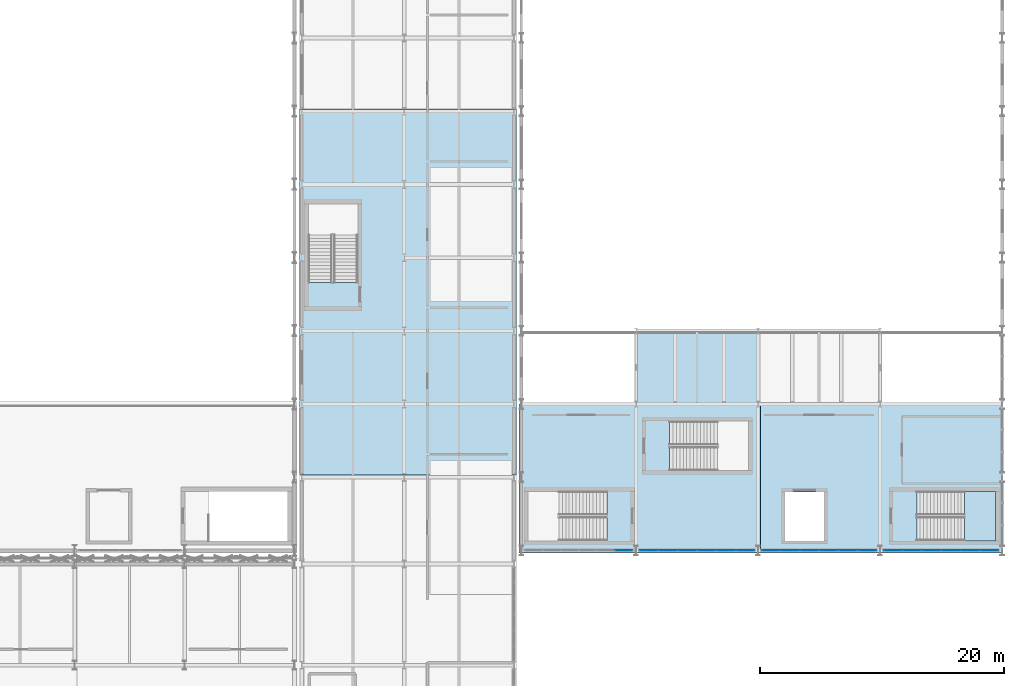
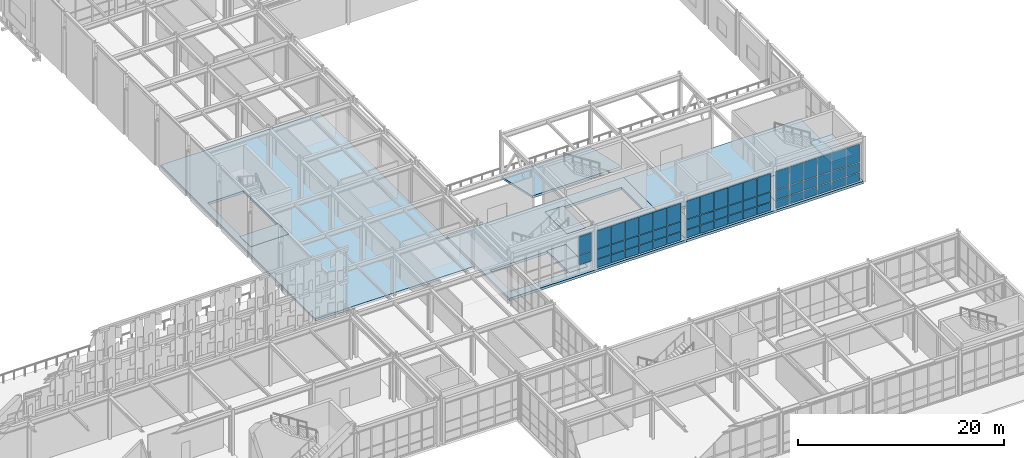
# One storey, part 146 of 210: 56 plates, 9 slabs, 5 elements without a shape of their own.
"""IFC4 building model written with IfcOpenShell, lengths in metres."""

from ifc_helpers import new_model, si_unit, direction, frame, origin, origin_2d, place, context, subcontext, project, spatial, polyline, rectangle, outline, extrude, material, layer, layer_set, type_object, element, aggregate, save


model = new_model("IFC4")

# Units and contexts
model_context = context("Model", 3, precision=1e-05, world=origin(), true_north=direction((0.0, 1.0)))
body_context = subcontext(model_context, "Body", "Model", "MODEL_VIEW")
ifc_project = project(units=[si_unit("LENGTHUNIT", "METRE"), si_unit("AREAUNIT", "SQUARE_METRE"), si_unit("VOLUMEUNIT", "CUBIC_METRE"), si_unit("PLANEANGLEUNIT", "RADIAN"), si_unit("MASSUNIT", "GRAM", prefix="KILO")], contexts=[model_context])

# Site, building, storey
site_placement = place(None, origin())
site = spatial("IfcSite", under=ifc_project, at=site_placement, CompositionType="ELEMENT")
building_placement = place(site_placement, origin())
building = spatial("IfcBuilding", under=site, at=building_placement, Name="Kaldris Quays Convention Centre", CompositionType="ELEMENT")
storey_placement = place(building_placement, frame((0.0, 0.0, 6.0)))
storey = spatial("IfcBuildingStorey", under=building, at=storey_placement, Name="L01", CompositionType="ELEMENT", Elevation=6.0)

# Curtain wall, plates
ifc_material_1 = material(Name="Anodized aluminium AW-6060 and triple glazing", Category="aluminium")
curtain_wall_type = type_object("IfcCurtainWallType", Name="UNITISED CURTAIN WALL CW01", PredefinedType="NOTDEFINED", material=ifc_material_1)
curtain_wall_1_placement = place(storey_placement, origin())
curtain_wall_1 = element("IfcCurtainWall", 1, at=curtain_wall_1_placement, inside=storey, type_object=curtain_wall_type, Name="L01 Unitised Curtain Wall CW01 25", PredefinedType="NOTDEFINED")
ifc_material_2 = material(Name="Triple low-E insulated glazing", Category="glass")
plate_type_1 = type_object("IfcPlateType", Name="CURTAIN GLAZING PANEL CWP1", PredefinedType="CURTAIN_PANEL", material=ifc_material_2)
plate_1_placement = place(storey_placement, frame((195.056640625, 56.0, 0.06005859375), z_axis=(0.0, 0.0, 1.0), x_axis=(1.0, 0.0, 0.0)))
plate_1 = element("IfcPlate", 2, at=plate_1_placement, type_object=plate_type_1, Name="CW01 panel 1.1", PredefinedType="CURTAIN_PANEL", context=body_context, shape_type="SweptSolid", body=[
    extrude(rectangle(XDim=1.493408203125, YDim=0.029052734375, at=origin_2d()), origin(), (0.0, 0.0, 1.0), 0.9599609375),
])
plate_2_placement = place(storey_placement, frame((195.056640625, 56.0, 1.080078125), z_axis=(0.0, 0.0, 1.0), x_axis=(1.0, 0.0, 0.0)))
plate_2 = element("IfcPlate", 3, at=plate_2_placement, type_object=plate_type_1, Name="CW01 panel 1.2", PredefinedType="CURTAIN_PANEL", context=body_context, shape_type="SweptSolid", body=[
    extrude(rectangle(XDim=1.493408203125, YDim=0.029052734375, at=origin_2d()), origin(), (0.0, 0.0, 1.0), 1.12890625),
])
plate_3_placement = place(storey_placement, frame((195.056640625, 56.0, 2.26904296875), z_axis=(0.0, 0.0, 1.0), x_axis=(1.0, 0.0, 0.0)))
plate_3 = element("IfcPlate", 4, at=plate_3_placement, type_object=plate_type_1, Name="CW01 panel 1.3", PredefinedType="CURTAIN_PANEL", context=body_context, shape_type="SweptSolid", body=[
    extrude(rectangle(XDim=1.493408203125, YDim=0.029052734375, at=origin_2d()), origin(), (0.0, 0.0, 1.0), 2.14892578125),
])
plate_4_placement = place(storey_placement, frame((196.625, 56.0, 0.06005859375), z_axis=(0.0, 0.0, 1.0), x_axis=(1.0, 0.0, 0.0)))
plate_4 = element("IfcPlate", 5, at=plate_4_placement, type_object=plate_type_1, Name="CW01 panel 2.1", PredefinedType="CURTAIN_PANEL", context=body_context, shape_type="SweptSolid", body=[
    extrude(rectangle(XDim=1.5234375, YDim=0.029052734375, at=origin_2d()), origin(), (0.0, 0.0, 1.0), 0.9599609375),
])
plate_5_placement = place(storey_placement, frame((196.625, 56.0, 1.080078125), z_axis=(0.0, 0.0, 1.0), x_axis=(1.0, 0.0, 0.0)))
plate_5 = element("IfcPlate", 6, at=plate_5_placement, type_object=plate_type_1, Name="CW01 panel 2.2", PredefinedType="CURTAIN_PANEL", context=body_context, shape_type="SweptSolid", body=[
    extrude(rectangle(XDim=1.5234375, YDim=0.029052734375, at=origin_2d()), origin(), (0.0, 0.0, 1.0), 1.12890625),
])
plate_6_placement = place(storey_placement, frame((196.625, 56.0, 2.26904296875), z_axis=(0.0, 0.0, 1.0), x_axis=(1.0, 0.0, 0.0)))
plate_6 = element("IfcPlate", 7, at=plate_6_placement, type_object=plate_type_1, Name="CW01 panel 2.3", PredefinedType="CURTAIN_PANEL", context=body_context, shape_type="SweptSolid", body=[
    extrude(rectangle(XDim=1.5234375, YDim=0.029052734375, at=origin_2d()), origin(), (0.0, 0.0, 1.0), 2.14892578125),
])
plate_7_placement = place(storey_placement, frame((198.208251953125, 56.0, 0.06005859375), z_axis=(0.0, 0.0, 1.0), x_axis=(1.0, 0.0, 0.0)))
plate_7 = element("IfcPlate", 8, at=plate_7_placement, type_object=plate_type_1, Name="CW01 panel 3.1", PredefinedType="CURTAIN_PANEL", context=body_context, shape_type="SweptSolid", body=[
    extrude(rectangle(XDim=1.5234375, YDim=0.029052734375, at=origin_2d()), origin(), (0.0, 0.0, 1.0), 0.9599609375),
])
plate_8_placement = place(storey_placement, frame((198.208251953125, 56.0, 1.080078125), z_axis=(0.0, 0.0, 1.0), x_axis=(1.0, 0.0, 0.0)))
plate_8 = element("IfcPlate", 9, at=plate_8_placement, type_object=plate_type_1, Name="CW01 panel 3.2", PredefinedType="CURTAIN_PANEL", context=body_context, shape_type="SweptSolid", body=[
    extrude(rectangle(XDim=1.5234375, YDim=0.029052734375, at=origin_2d()), origin(), (0.0, 0.0, 1.0), 1.12890625),
])
plate_9_placement = place(storey_placement, frame((198.208251953125, 56.0, 2.26904296875), z_axis=(0.0, 0.0, 1.0), x_axis=(1.0, 0.0, 0.0)))
plate_9 = element("IfcPlate", 10, at=plate_9_placement, type_object=plate_type_1, Name="CW01 panel 3.3", PredefinedType="CURTAIN_PANEL", context=body_context, shape_type="SweptSolid", body=[
    extrude(rectangle(XDim=1.5234375, YDim=0.029052734375, at=origin_2d()), origin(), (0.0, 0.0, 1.0), 2.14892578125),
])
plate_10_placement = place(storey_placement, frame((199.791748046875, 56.0, 0.06005859375), z_axis=(0.0, 0.0, 1.0), x_axis=(1.0, 0.0, 0.0)))
plate_10 = element("IfcPlate", 11, at=plate_10_placement, type_object=plate_type_1, Name="CW01 panel 4.1", PredefinedType="CURTAIN_PANEL", context=body_context, shape_type="SweptSolid", body=[
    extrude(rectangle(XDim=1.5234375, YDim=0.029052734375, at=origin_2d()), origin(), (0.0, 0.0, 1.0), 0.9599609375),
])
plate_11_placement = place(storey_placement, frame((199.791748046875, 56.0, 1.080078125), z_axis=(0.0, 0.0, 1.0), x_axis=(1.0, 0.0, 0.0)))
plate_11 = element("IfcPlate", 12, at=plate_11_placement, type_object=plate_type_1, Name="CW01 panel 4.2", PredefinedType="CURTAIN_PANEL", context=body_context, shape_type="SweptSolid", body=[
    extrude(rectangle(XDim=1.5234375, YDim=0.029052734375, at=origin_2d()), origin(), (0.0, 0.0, 1.0), 1.12890625),
])
plate_12_placement = place(storey_placement, frame((199.791748046875, 56.0, 2.26904296875), z_axis=(0.0, 0.0, 1.0), x_axis=(1.0, 0.0, 0.0)))
plate_12 = element("IfcPlate", 13, at=plate_12_placement, type_object=plate_type_1, Name="CW01 panel 4.3", PredefinedType="CURTAIN_PANEL", context=body_context, shape_type="SweptSolid", body=[
    extrude(rectangle(XDim=1.5234375, YDim=0.029052734375, at=origin_2d()), origin(), (0.0, 0.0, 1.0), 2.14892578125),
])
plate_13_placement = place(storey_placement, frame((201.375, 56.0, 0.06005859375), z_axis=(0.0, 0.0, 1.0), x_axis=(1.0, 0.0, 0.0)))
plate_13 = element("IfcPlate", 14, at=plate_13_placement, type_object=plate_type_1, Name="CW01 panel 5.1", PredefinedType="CURTAIN_PANEL", context=body_context, shape_type="SweptSolid", body=[
    extrude(rectangle(XDim=1.5234375, YDim=0.029052734375, at=origin_2d()), origin(), (0.0, 0.0, 1.0), 0.9599609375),
])
plate_14_placement = place(storey_placement, frame((201.375, 56.0, 1.080078125), z_axis=(0.0, 0.0, 1.0), x_axis=(1.0, 0.0, 0.0)))
plate_14 = element("IfcPlate", 15, at=plate_14_placement, type_object=plate_type_1, Name="CW01 panel 5.2", PredefinedType="CURTAIN_PANEL", context=body_context, shape_type="SweptSolid", body=[
    extrude(rectangle(XDim=1.5234375, YDim=0.029052734375, at=origin_2d()), origin(), (0.0, 0.0, 1.0), 1.12890625),
])
plate_15_placement = place(storey_placement, frame((201.375, 56.0, 2.26904296875), z_axis=(0.0, 0.0, 1.0), x_axis=(1.0, 0.0, 0.0)))
plate_15 = element("IfcPlate", 16, at=plate_15_placement, type_object=plate_type_1, Name="CW01 panel 5.3", PredefinedType="CURTAIN_PANEL", context=body_context, shape_type="SweptSolid", body=[
    extrude(rectangle(XDim=1.5234375, YDim=0.029052734375, at=origin_2d()), origin(), (0.0, 0.0, 1.0), 2.14892578125),
])
plate_16_placement = place(storey_placement, frame((202.943359375, 56.0, 0.06005859375), z_axis=(0.0, 0.0, 1.0), x_axis=(1.0, 0.0, 0.0)))
plate_16 = element("IfcPlate", 17, at=plate_16_placement, type_object=plate_type_1, Name="CW01 panel 6.1", PredefinedType="CURTAIN_PANEL", context=body_context, shape_type="SweptSolid", body=[
    extrude(rectangle(XDim=1.493408203125, YDim=0.029052734375, at=origin_2d()), origin(), (0.0, 0.0, 1.0), 0.9599609375),
])
plate_17_placement = place(storey_placement, frame((202.943359375, 56.0, 1.080078125), z_axis=(0.0, 0.0, 1.0), x_axis=(1.0, 0.0, 0.0)))
plate_17 = element("IfcPlate", 18, at=plate_17_placement, type_object=plate_type_1, Name="CW01 panel 6.2", PredefinedType="CURTAIN_PANEL", context=body_context, shape_type="SweptSolid", body=[
    extrude(rectangle(XDim=1.493408203125, YDim=0.029052734375, at=origin_2d()), origin(), (0.0, 0.0, 1.0), 1.12890625),
])
plate_18_placement = place(storey_placement, frame((202.943359375, 56.0, 2.26904296875), z_axis=(0.0, 0.0, 1.0), x_axis=(1.0, 0.0, 0.0)))
plate_18 = element("IfcPlate", 19, at=plate_18_placement, type_object=plate_type_1, Name="CW01 panel 6.3", PredefinedType="CURTAIN_PANEL", context=body_context, shape_type="SweptSolid", body=[
    extrude(rectangle(XDim=1.493408203125, YDim=0.029052734375, at=origin_2d()), origin(), (0.0, 0.0, 1.0), 2.14892578125),
])
aggregate(curtain_wall_1, [plate_1, plate_2, plate_3, plate_4, plate_5, plate_6, plate_7, plate_8, plate_9, plate_10, plate_11, plate_12, plate_13, plate_14, plate_15, plate_16, plate_17, plate_18])

curtain_wall_2_placement = place(storey_placement, origin())
curtain_wall_2 = element("IfcCurtainWall", 20, at=curtain_wall_2_placement, inside=storey, type_object=curtain_wall_type, Name="L01 Unitised Curtain Wall CW01 22", PredefinedType="NOTDEFINED")
plate_type_2 = type_object("IfcPlateType", Name="CURTAIN GLAZING PANEL CWP6", PredefinedType="CURTAIN_PANEL", material=ifc_material_2)
plate_19_placement = place(storey_placement, frame((172.993408203125, 56.0, 1.080078125), z_axis=(0.0, 0.0, 1.0), x_axis=(1.0, 0.0, 0.0)))
plate_19 = element("IfcPlate", 21, at=plate_19_placement, type_object=plate_type_2, Name="CW01 panel 6.2", PredefinedType="CURTAIN_PANEL", context=body_context, shape_type="SweptSolid", body=[
    extrude(rectangle(XDim=1.393310546875, YDim=0.053955078125, at=origin_2d()), origin(), (0.0, 0.0, 1.0), 1.12890625),
])
plate_20_placement = place(storey_placement, frame((172.993408203125, 56.0, 2.26904296875), z_axis=(0.0, 0.0, 1.0), x_axis=(1.0, 0.0, 0.0)))
plate_20 = element("IfcPlate", 22, at=plate_20_placement, type_object=plate_type_2, Name="CW01 panel 6.3", PredefinedType="CURTAIN_PANEL", context=body_context, shape_type="SweptSolid", body=[
    extrude(rectangle(XDim=1.393310546875, YDim=0.053955078125, at=origin_2d()), origin(), (0.0, 0.0, 1.0), 2.14892578125),
])
aggregate(curtain_wall_2, [plate_19, plate_20])

curtain_wall_3_placement = place(storey_placement, origin())
curtain_wall_3 = element("IfcCurtainWall", 23, at=curtain_wall_3_placement, inside=storey, type_object=curtain_wall_type, Name="L01 Unitised Curtain Wall CW01 23", PredefinedType="NOTDEFINED")
plate_type_3 = type_object("IfcPlateType", Name="CURTAIN GLAZING PANEL CWP7", PredefinedType="CURTAIN_PANEL", material=ifc_material_2)
plate_21_placement = place(storey_placement, frame((175.056640625, 56.0, 0.06005859375), z_axis=(0.0, 0.0, 1.0), x_axis=(1.0, 0.0, 0.0)))
plate_21 = element("IfcPlate", 24, at=plate_21_placement, type_object=plate_type_3, Name="CW01 panel 1.1", PredefinedType="CURTAIN_PANEL", context=body_context, shape_type="SweptSolid", body=[
    extrude(rectangle(XDim=1.493408203125, YDim=0.05908203125, at=origin_2d()), origin(), (0.0, 0.0, 1.0), 0.9599609375),
])
plate_22_placement = place(storey_placement, frame((175.056640625, 56.0, 1.080078125), z_axis=(0.0, 0.0, 1.0), x_axis=(1.0, 0.0, 0.0)))
plate_22 = element("IfcPlate", 25, at=plate_22_placement, type_object=plate_type_3, Name="CW01 panel 1.2", PredefinedType="CURTAIN_PANEL", context=body_context, shape_type="SweptSolid", body=[
    extrude(rectangle(XDim=1.493408203125, YDim=0.05908203125, at=origin_2d()), origin(), (0.0, 0.0, 1.0), 1.12890625),
])
plate_23_placement = place(storey_placement, frame((175.056640625, 56.0, 2.26904296875), z_axis=(0.0, 0.0, 1.0), x_axis=(1.0, 0.0, 0.0)))
plate_23 = element("IfcPlate", 26, at=plate_23_placement, type_object=plate_type_3, Name="CW01 panel 1.3", PredefinedType="CURTAIN_PANEL", context=body_context, shape_type="SweptSolid", body=[
    extrude(rectangle(XDim=1.493408203125, YDim=0.05908203125, at=origin_2d()), origin(), (0.0, 0.0, 1.0), 2.14892578125),
])
plate_24_placement = place(storey_placement, frame((176.625, 56.0, 0.06005859375), z_axis=(0.0, 0.0, 1.0), x_axis=(1.0, 0.0, 0.0)))
plate_24 = element("IfcPlate", 27, at=plate_24_placement, type_object=plate_type_3, Name="CW01 panel 2.1", PredefinedType="CURTAIN_PANEL", context=body_context, shape_type="SweptSolid", body=[
    extrude(rectangle(XDim=1.5234375, YDim=0.05908203125, at=origin_2d()), origin(), (0.0, 0.0, 1.0), 0.9599609375),
])
plate_25_placement = place(storey_placement, frame((176.625, 56.0, 1.080078125), z_axis=(0.0, 0.0, 1.0), x_axis=(1.0, 0.0, 0.0)))
plate_25 = element("IfcPlate", 28, at=plate_25_placement, type_object=plate_type_3, Name="CW01 panel 2.2", PredefinedType="CURTAIN_PANEL", context=body_context, shape_type="SweptSolid", body=[
    extrude(rectangle(XDim=1.5234375, YDim=0.05908203125, at=origin_2d()), origin(), (0.0, 0.0, 1.0), 1.12890625),
])
plate_26_placement = place(storey_placement, frame((176.625, 56.0, 2.26904296875), z_axis=(0.0, 0.0, 1.0), x_axis=(1.0, 0.0, 0.0)))
plate_26 = element("IfcPlate", 29, at=plate_26_placement, type_object=plate_type_3, Name="CW01 panel 2.3", PredefinedType="CURTAIN_PANEL", context=body_context, shape_type="SweptSolid", body=[
    extrude(rectangle(XDim=1.5234375, YDim=0.05908203125, at=origin_2d()), origin(), (0.0, 0.0, 1.0), 2.14892578125),
])
plate_27_placement = place(storey_placement, frame((178.208251953125, 56.0, 0.06005859375), z_axis=(0.0, 0.0, 1.0), x_axis=(1.0, 0.0, 0.0)))
plate_27 = element("IfcPlate", 30, at=plate_27_placement, type_object=plate_type_3, Name="CW01 panel 3.1", PredefinedType="CURTAIN_PANEL", context=body_context, shape_type="SweptSolid", body=[
    extrude(rectangle(XDim=1.5234375, YDim=0.05908203125, at=origin_2d()), origin(), (0.0, 0.0, 1.0), 0.9599609375),
])
plate_28_placement = place(storey_placement, frame((178.208251953125, 56.0, 1.080078125), z_axis=(0.0, 0.0, 1.0), x_axis=(1.0, 0.0, 0.0)))
plate_28 = element("IfcPlate", 31, at=plate_28_placement, type_object=plate_type_3, Name="CW01 panel 3.2", PredefinedType="CURTAIN_PANEL", context=body_context, shape_type="SweptSolid", body=[
    extrude(rectangle(XDim=1.5234375, YDim=0.05908203125, at=origin_2d()), origin(), (0.0, 0.0, 1.0), 1.12890625),
])
plate_29_placement = place(storey_placement, frame((178.208251953125, 56.0, 2.26904296875), z_axis=(0.0, 0.0, 1.0), x_axis=(1.0, 0.0, 0.0)))
plate_29 = element("IfcPlate", 32, at=plate_29_placement, type_object=plate_type_3, Name="CW01 panel 3.3", PredefinedType="CURTAIN_PANEL", context=body_context, shape_type="SweptSolid", body=[
    extrude(rectangle(XDim=1.5234375, YDim=0.05908203125, at=origin_2d()), origin(), (0.0, 0.0, 1.0), 2.14892578125),
])
plate_30_placement = place(storey_placement, frame((179.791748046875, 56.0, 0.06005859375), z_axis=(0.0, 0.0, 1.0), x_axis=(1.0, 0.0, 0.0)))
plate_30 = element("IfcPlate", 33, at=plate_30_placement, type_object=plate_type_3, Name="CW01 panel 4.1", PredefinedType="CURTAIN_PANEL", context=body_context, shape_type="SweptSolid", body=[
    extrude(rectangle(XDim=1.5234375, YDim=0.05908203125, at=origin_2d()), origin(), (0.0, 0.0, 1.0), 0.9599609375),
])
plate_31_placement = place(storey_placement, frame((179.791748046875, 56.0, 1.080078125), z_axis=(0.0, 0.0, 1.0), x_axis=(1.0, 0.0, 0.0)))
plate_31 = element("IfcPlate", 34, at=plate_31_placement, type_object=plate_type_3, Name="CW01 panel 4.2", PredefinedType="CURTAIN_PANEL", context=body_context, shape_type="SweptSolid", body=[
    extrude(rectangle(XDim=1.5234375, YDim=0.05908203125, at=origin_2d()), origin(), (0.0, 0.0, 1.0), 1.12890625),
])
plate_32_placement = place(storey_placement, frame((179.791748046875, 56.0, 2.26904296875), z_axis=(0.0, 0.0, 1.0), x_axis=(1.0, 0.0, 0.0)))
plate_32 = element("IfcPlate", 35, at=plate_32_placement, type_object=plate_type_3, Name="CW01 panel 4.3", PredefinedType="CURTAIN_PANEL", context=body_context, shape_type="SweptSolid", body=[
    extrude(rectangle(XDim=1.5234375, YDim=0.05908203125, at=origin_2d()), origin(), (0.0, 0.0, 1.0), 2.14892578125),
])
plate_33_placement = place(storey_placement, frame((181.375, 56.0, 0.06005859375), z_axis=(0.0, 0.0, 1.0), x_axis=(1.0, 0.0, 0.0)))
plate_33 = element("IfcPlate", 36, at=plate_33_placement, type_object=plate_type_3, Name="CW01 panel 5.1", PredefinedType="CURTAIN_PANEL", context=body_context, shape_type="SweptSolid", body=[
    extrude(rectangle(XDim=1.5234375, YDim=0.05908203125, at=origin_2d()), origin(), (0.0, 0.0, 1.0), 0.9599609375),
])
plate_34_placement = place(storey_placement, frame((181.375, 56.0, 1.080078125), z_axis=(0.0, 0.0, 1.0), x_axis=(1.0, 0.0, 0.0)))
plate_34 = element("IfcPlate", 37, at=plate_34_placement, type_object=plate_type_3, Name="CW01 panel 5.2", PredefinedType="CURTAIN_PANEL", context=body_context, shape_type="SweptSolid", body=[
    extrude(rectangle(XDim=1.5234375, YDim=0.05908203125, at=origin_2d()), origin(), (0.0, 0.0, 1.0), 1.12890625),
])
plate_35_placement = place(storey_placement, frame((181.375, 56.0, 2.26904296875), z_axis=(0.0, 0.0, 1.0), x_axis=(1.0, 0.0, 0.0)))
plate_35 = element("IfcPlate", 38, at=plate_35_placement, type_object=plate_type_3, Name="CW01 panel 5.3", PredefinedType="CURTAIN_PANEL", context=body_context, shape_type="SweptSolid", body=[
    extrude(rectangle(XDim=1.5234375, YDim=0.05908203125, at=origin_2d()), origin(), (0.0, 0.0, 1.0), 2.14892578125),
])
plate_36_placement = place(storey_placement, frame((182.943359375, 56.0, 0.06005859375), z_axis=(0.0, 0.0, 1.0), x_axis=(1.0, 0.0, 0.0)))
plate_36 = element("IfcPlate", 39, at=plate_36_placement, type_object=plate_type_3, Name="CW01 panel 6.1", PredefinedType="CURTAIN_PANEL", context=body_context, shape_type="SweptSolid", body=[
    extrude(rectangle(XDim=1.493408203125, YDim=0.05908203125, at=origin_2d()), origin(), (0.0, 0.0, 1.0), 0.9599609375),
])
plate_37_placement = place(storey_placement, frame((182.943359375, 56.0, 1.080078125), z_axis=(0.0, 0.0, 1.0), x_axis=(1.0, 0.0, 0.0)))
plate_37 = element("IfcPlate", 40, at=plate_37_placement, type_object=plate_type_3, Name="CW01 panel 6.2", PredefinedType="CURTAIN_PANEL", context=body_context, shape_type="SweptSolid", body=[
    extrude(rectangle(XDim=1.493408203125, YDim=0.05908203125, at=origin_2d()), origin(), (0.0, 0.0, 1.0), 1.12890625),
])
plate_38_placement = place(storey_placement, frame((182.943359375, 56.0, 2.26904296875), z_axis=(0.0, 0.0, 1.0), x_axis=(1.0, 0.0, 0.0)))
plate_38 = element("IfcPlate", 41, at=plate_38_placement, type_object=plate_type_3, Name="CW01 panel 6.3", PredefinedType="CURTAIN_PANEL", context=body_context, shape_type="SweptSolid", body=[
    extrude(rectangle(XDim=1.493408203125, YDim=0.05908203125, at=origin_2d()), origin(), (0.0, 0.0, 1.0), 2.14892578125),
])
aggregate(curtain_wall_3, [plate_21, plate_22, plate_23, plate_24, plate_25, plate_26, plate_27, plate_28, plate_29, plate_30, plate_31, plate_32, plate_33, plate_34, plate_35, plate_36, plate_37, plate_38])

curtain_wall_4_placement = place(storey_placement, origin())
curtain_wall_4 = element("IfcCurtainWall", 42, at=curtain_wall_4_placement, inside=storey, type_object=curtain_wall_type, Name="L01 Unitised Curtain Wall CW01 24", PredefinedType="NOTDEFINED")
plate_type_4 = type_object("IfcPlateType", Name="CURTAIN GLAZING PANEL CWP8", PredefinedType="CURTAIN_PANEL", material=ifc_material_2)
plate_39_placement = place(storey_placement, frame((185.056640625, 56.0, 0.06005859375), z_axis=(0.0, 0.0, 1.0), x_axis=(1.0, 0.0, 0.0)))
plate_39 = element("IfcPlate", 43, at=plate_39_placement, type_object=plate_type_4, Name="CW01 panel 1.1", PredefinedType="CURTAIN_PANEL", context=body_context, shape_type="SweptSolid", body=[
    extrude(rectangle(XDim=1.493408203125, YDim=0.06396484375, at=origin_2d()), origin(), (0.0, 0.0, 1.0), 0.9599609375),
])
plate_40_placement = place(storey_placement, frame((185.056640625, 56.0, 1.080078125), z_axis=(0.0, 0.0, 1.0), x_axis=(1.0, 0.0, 0.0)))
plate_40 = element("IfcPlate", 44, at=plate_40_placement, type_object=plate_type_4, Name="CW01 panel 1.2", PredefinedType="CURTAIN_PANEL", context=body_context, shape_type="SweptSolid", body=[
    extrude(rectangle(XDim=1.493408203125, YDim=0.06396484375, at=origin_2d()), origin(), (0.0, 0.0, 1.0), 1.12890625),
])
plate_41_placement = place(storey_placement, frame((185.056640625, 56.0, 2.26904296875), z_axis=(0.0, 0.0, 1.0), x_axis=(1.0, 0.0, 0.0)))
plate_41 = element("IfcPlate", 45, at=plate_41_placement, type_object=plate_type_4, Name="CW01 panel 1.3", PredefinedType="CURTAIN_PANEL", context=body_context, shape_type="SweptSolid", body=[
    extrude(rectangle(XDim=1.493408203125, YDim=0.06396484375, at=origin_2d()), origin(), (0.0, 0.0, 1.0), 2.14892578125),
])
plate_42_placement = place(storey_placement, frame((186.625, 56.0, 0.06005859375), z_axis=(0.0, 0.0, 1.0), x_axis=(1.0, 0.0, 0.0)))
plate_42 = element("IfcPlate", 46, at=plate_42_placement, type_object=plate_type_4, Name="CW01 panel 2.1", PredefinedType="CURTAIN_PANEL", context=body_context, shape_type="SweptSolid", body=[
    extrude(rectangle(XDim=1.5234375, YDim=0.06396484375, at=origin_2d()), origin(), (0.0, 0.0, 1.0), 0.9599609375),
])
plate_43_placement = place(storey_placement, frame((186.625, 56.0, 1.080078125), z_axis=(0.0, 0.0, 1.0), x_axis=(1.0, 0.0, 0.0)))
plate_43 = element("IfcPlate", 47, at=plate_43_placement, type_object=plate_type_4, Name="CW01 panel 2.2", PredefinedType="CURTAIN_PANEL", context=body_context, shape_type="SweptSolid", body=[
    extrude(rectangle(XDim=1.5234375, YDim=0.06396484375, at=origin_2d()), origin(), (0.0, 0.0, 1.0), 1.12890625),
])
plate_44_placement = place(storey_placement, frame((186.625, 56.0, 2.26904296875), z_axis=(0.0, 0.0, 1.0), x_axis=(1.0, 0.0, 0.0)))
plate_44 = element("IfcPlate", 48, at=plate_44_placement, type_object=plate_type_4, Name="CW01 panel 2.3", PredefinedType="CURTAIN_PANEL", context=body_context, shape_type="SweptSolid", body=[
    extrude(rectangle(XDim=1.5234375, YDim=0.06396484375, at=origin_2d()), origin(), (0.0, 0.0, 1.0), 2.14892578125),
])
plate_45_placement = place(storey_placement, frame((188.208251953125, 56.0, 0.06005859375), z_axis=(0.0, 0.0, 1.0), x_axis=(1.0, 0.0, 0.0)))
plate_45 = element("IfcPlate", 49, at=plate_45_placement, type_object=plate_type_4, Name="CW01 panel 3.1", PredefinedType="CURTAIN_PANEL", context=body_context, shape_type="SweptSolid", body=[
    extrude(rectangle(XDim=1.5234375, YDim=0.06396484375, at=origin_2d()), origin(), (0.0, 0.0, 1.0), 0.9599609375),
])
plate_46_placement = place(storey_placement, frame((188.208251953125, 56.0, 1.080078125), z_axis=(0.0, 0.0, 1.0), x_axis=(1.0, 0.0, 0.0)))
plate_46 = element("IfcPlate", 50, at=plate_46_placement, type_object=plate_type_4, Name="CW01 panel 3.2", PredefinedType="CURTAIN_PANEL", context=body_context, shape_type="SweptSolid", body=[
    extrude(rectangle(XDim=1.5234375, YDim=0.06396484375, at=origin_2d()), origin(), (0.0, 0.0, 1.0), 1.12890625),
])
plate_47_placement = place(storey_placement, frame((188.208251953125, 56.0, 2.26904296875), z_axis=(0.0, 0.0, 1.0), x_axis=(1.0, 0.0, 0.0)))
plate_47 = element("IfcPlate", 51, at=plate_47_placement, type_object=plate_type_4, Name="CW01 panel 3.3", PredefinedType="CURTAIN_PANEL", context=body_context, shape_type="SweptSolid", body=[
    extrude(rectangle(XDim=1.5234375, YDim=0.06396484375, at=origin_2d()), origin(), (0.0, 0.0, 1.0), 2.14892578125),
])
plate_48_placement = place(storey_placement, frame((189.791748046875, 56.0, 0.06005859375), z_axis=(0.0, 0.0, 1.0), x_axis=(1.0, 0.0, 0.0)))
plate_48 = element("IfcPlate", 52, at=plate_48_placement, type_object=plate_type_4, Name="CW01 panel 4.1", PredefinedType="CURTAIN_PANEL", context=body_context, shape_type="SweptSolid", body=[
    extrude(rectangle(XDim=1.5234375, YDim=0.06396484375, at=origin_2d()), origin(), (0.0, 0.0, 1.0), 0.9599609375),
])
plate_49_placement = place(storey_placement, frame((189.791748046875, 56.0, 1.080078125), z_axis=(0.0, 0.0, 1.0), x_axis=(1.0, 0.0, 0.0)))
plate_49 = element("IfcPlate", 53, at=plate_49_placement, type_object=plate_type_4, Name="CW01 panel 4.2", PredefinedType="CURTAIN_PANEL", context=body_context, shape_type="SweptSolid", body=[
    extrude(rectangle(XDim=1.5234375, YDim=0.06396484375, at=origin_2d()), origin(), (0.0, 0.0, 1.0), 1.12890625),
])
plate_50_placement = place(storey_placement, frame((189.791748046875, 56.0, 2.26904296875), z_axis=(0.0, 0.0, 1.0), x_axis=(1.0, 0.0, 0.0)))
plate_50 = element("IfcPlate", 54, at=plate_50_placement, type_object=plate_type_4, Name="CW01 panel 4.3", PredefinedType="CURTAIN_PANEL", context=body_context, shape_type="SweptSolid", body=[
    extrude(rectangle(XDim=1.5234375, YDim=0.06396484375, at=origin_2d()), origin(), (0.0, 0.0, 1.0), 2.14892578125),
])
plate_51_placement = place(storey_placement, frame((191.375, 56.0, 0.06005859375), z_axis=(0.0, 0.0, 1.0), x_axis=(1.0, 0.0, 0.0)))
plate_51 = element("IfcPlate", 55, at=plate_51_placement, type_object=plate_type_4, Name="CW01 panel 5.1", PredefinedType="CURTAIN_PANEL", context=body_context, shape_type="SweptSolid", body=[
    extrude(rectangle(XDim=1.5234375, YDim=0.06396484375, at=origin_2d()), origin(), (0.0, 0.0, 1.0), 0.9599609375),
])
plate_52_placement = place(storey_placement, frame((191.375, 56.0, 1.080078125), z_axis=(0.0, 0.0, 1.0), x_axis=(1.0, 0.0, 0.0)))
plate_52 = element("IfcPlate", 56, at=plate_52_placement, type_object=plate_type_4, Name="CW01 panel 5.2", PredefinedType="CURTAIN_PANEL", context=body_context, shape_type="SweptSolid", body=[
    extrude(rectangle(XDim=1.5234375, YDim=0.06396484375, at=origin_2d()), origin(), (0.0, 0.0, 1.0), 1.12890625),
])
plate_53_placement = place(storey_placement, frame((191.375, 56.0, 2.26904296875), z_axis=(0.0, 0.0, 1.0), x_axis=(1.0, 0.0, 0.0)))
plate_53 = element("IfcPlate", 57, at=plate_53_placement, type_object=plate_type_4, Name="CW01 panel 5.3", PredefinedType="CURTAIN_PANEL", context=body_context, shape_type="SweptSolid", body=[
    extrude(rectangle(XDim=1.5234375, YDim=0.06396484375, at=origin_2d()), origin(), (0.0, 0.0, 1.0), 2.14892578125),
])
plate_54_placement = place(storey_placement, frame((192.943359375, 56.0, 0.06005859375), z_axis=(0.0, 0.0, 1.0), x_axis=(1.0, 0.0, 0.0)))
plate_54 = element("IfcPlate", 58, at=plate_54_placement, type_object=plate_type_4, Name="CW01 panel 6.1", PredefinedType="CURTAIN_PANEL", context=body_context, shape_type="SweptSolid", body=[
    extrude(rectangle(XDim=1.493408203125, YDim=0.06396484375, at=origin_2d()), origin(), (0.0, 0.0, 1.0), 0.9599609375),
])
plate_55_placement = place(storey_placement, frame((192.943359375, 56.0, 1.080078125), z_axis=(0.0, 0.0, 1.0), x_axis=(1.0, 0.0, 0.0)))
plate_55 = element("IfcPlate", 59, at=plate_55_placement, type_object=plate_type_4, Name="CW01 panel 6.2", PredefinedType="CURTAIN_PANEL", context=body_context, shape_type="SweptSolid", body=[
    extrude(rectangle(XDim=1.493408203125, YDim=0.06396484375, at=origin_2d()), origin(), (0.0, 0.0, 1.0), 1.12890625),
])
plate_56_placement = place(storey_placement, frame((192.943359375, 56.0, 2.26904296875), z_axis=(0.0, 0.0, 1.0), x_axis=(1.0, 0.0, 0.0)))
plate_56 = element("IfcPlate", 60, at=plate_56_placement, type_object=plate_type_4, Name="CW01 panel 6.3", PredefinedType="CURTAIN_PANEL", context=body_context, shape_type="SweptSolid", body=[
    extrude(rectangle(XDim=1.493408203125, YDim=0.06396484375, at=origin_2d()), origin(), (0.0, 0.0, 1.0), 2.14892578125),
])
aggregate(curtain_wall_4, [plate_39, plate_40, plate_41, plate_42, plate_43, plate_44, plate_45, plate_46, plate_47, plate_48, plate_49, plate_50, plate_51, plate_52, plate_53, plate_54, plate_55, plate_56])

# Stair, slab
ifc_material_3 = material(Name="Concrete C35/45", Category="concrete")
stair_type = type_object("IfcStairType", Name="DOGLEG ESCAPE STAIR STF1", PredefinedType="TWO_STRAIGHT_RUN_STAIR", material=ifc_material_3)
stair_placement = place(storey_placement, origin())
stair = element("IfcStair", 61, at=stair_placement, inside=storey, type_object=stair_type, Name="L01 Escape Stair ST09", PredefinedType="TWO_STRAIGHT_RUN_STAIR")
ifc_layer_1 = layer(ifc_material_3, 0.205078125)
ifc_layer_set_1 = layer_set([ifc_layer_1], Name="Concrete C35/45")
slab_type_1 = type_object("IfcSlabType", Name="STAIR LANDING SLAB LS01", PredefinedType="LANDING", material=ifc_layer_set_1)
slab_1_placement = place(storey_placement, frame((0.0, 0.0, 2.4951171875)))
slab_1 = element("IfcSlab", 62, at=slab_1_placement, type_object=slab_type_1, Name="STF1 landing 1", PredefinedType="LANDING", context=body_context, shape_type="SweptSolid", body=[
    extrude(outline(polyline([(200.919921875, 56.800048828125), (203.449951171875, 56.800048828125), (203.449951171875, 60.85009765625), (200.919921875, 60.85009765625), (200.919921875, 56.800048828125)])), origin(), (0.0, 0.0, 1.0), 0.204833984375),
])
aggregate(stair, [slab_1])

# Slabs
ifc_layer_2 = layer(ifc_material_3, 0.294921875)
ifc_layer_set_2 = layer_set([ifc_layer_2], Name="Concrete C35/45")
slab_type_2 = type_object("IfcSlabType", Name="STRUCTURAL SLAB FS04", PredefinedType="FLOOR", material=ifc_layer_set_2)
slab_2_placement = place(storey_placement, frame((0.0, 0.0, -0.294921875)))
element("IfcSlab", 63, at=slab_2_placement, inside=storey, type_object=slab_type_2, Name="L01 V2 Middle Concourse A SLAB-L01-V2A", PredefinedType="FLOOR", context=body_context, shape_type="SweptSolid", body=[
    extrude(outline(polyline([(164.39990234375, 55.800048828125), (164.39990234375, 68.0), (184.199951171875, 68.0), (184.199951171875, 55.800048828125), (164.39990234375, 55.800048828125)]), holes=[polyline([(171.59912109375, 56.67822265625), (173.671875, 56.67919921875), (173.671142578125, 60.9716796875), (171.599853515625, 60.971923828125), (171.597900390625, 60.85009765625), (165.14990234375, 60.85009765625), (165.14990234375, 56.800048828125), (171.597900390625, 56.800048828125), (171.59912109375, 56.67822265625)]), polyline([(174.67919921875, 62.42822265625), (176.750244140625, 62.427978515625), (176.751953125, 62.550048828125), (183.199951171875, 62.550048828125), (183.199951171875, 66.60009765625), (176.751953125, 66.60009765625), (176.750244140625, 66.721923828125), (174.67919921875, 66.7216796875), (174.67919921875, 62.42822265625)])]), origin(), (0.0, 0.0, 1.0), 0.294921875),
])
slab_3_placement = place(storey_placement, frame((0.0, 0.0, -0.294921875)))
element("IfcSlab", 64, at=slab_3_placement, inside=storey, type_object=slab_type_2, Name="L01 V2 Middle Concourse B SLAB-L01-V2B", PredefinedType="FLOOR", context=body_context, shape_type="SweptSolid", body=[
    extrude(outline(polyline([(204.0, 68.0), (204.0, 55.800048828125), (184.201904296875, 55.800048828125), (184.201904296875, 68.0), (204.0, 68.0)]), holes=[polyline([(186.199951171875, 56.800048828125), (189.39990234375, 56.800048828125), (189.39990234375, 60.800048828125), (186.199951171875, 60.800048828125), (186.199951171875, 56.800048828125)]), polyline([(197.001953125, 56.679931640625), (197.001953125, 56.800048828125), (203.449951171875, 56.800048828125), (203.449951171875, 60.85009765625), (197.001953125, 60.85009765625), (197.000244140625, 60.971923828125), (194.928955078125, 60.9716796875), (194.92822265625, 56.67919921875), (197.001953125, 56.679931640625)])]), origin(), (0.0, 0.0, 1.0), 0.294921875),
])
ifc_layer_3 = layer(ifc_material_3, 0.27490234375)
ifc_layer_set_3 = layer_set([ifc_layer_3], Name="Concrete C35/45")
slab_type_3 = type_object("IfcSlabType", Name="STRUCTURAL SLAB FS05", PredefinedType="FLOOR", material=ifc_layer_set_3)
slab_4_placement = place(storey_placement, frame((0.0, 0.0, -0.27490234375)))
element("IfcSlab", 65, at=slab_4_placement, inside=storey, type_object=slab_type_3, Name="L01 ST08 Core Floor Landing Slab", PredefinedType="FLOOR", context=body_context, shape_type="SweptSolid", body=[
    extrude(outline(polyline([(173.669921875, 60.969970703125), (171.60009765625, 60.969970703125), (171.60009765625, 56.679931640625), (173.669921875, 56.679931640625), (173.669921875, 60.969970703125)])), origin(), (0.0, 0.0, 1.0), 0.27490234375),
])
slab_5_placement = place(storey_placement, frame((0.0, 0.0, -0.27490234375)))
element("IfcSlab", 66, at=slab_5_placement, inside=storey, type_object=slab_type_3, Name="L01 ST09 Core Floor Landing Slab", PredefinedType="FLOOR", context=body_context, shape_type="SweptSolid", body=[
    extrude(outline(polyline([(194.929931640625, 56.679931640625), (197.0, 56.679931640625), (197.0, 60.969970703125), (194.929931640625, 60.969970703125), (194.929931640625, 56.679931640625)])), origin(), (0.0, 0.0, 1.0), 0.27490234375),
])
slab_6_placement = place(storey_placement, frame((0.0, 0.0, -0.27490234375)))
element("IfcSlab", 67, at=slab_6_placement, inside=storey, type_object=slab_type_3, Name="L01 ST10 Core Floor Landing Slab", PredefinedType="FLOOR", context=body_context, shape_type="SweptSolid", body=[
    extrude(outline(polyline([(174.679931640625, 62.429931640625), (176.75, 62.429931640625), (176.75, 66.719970703125), (174.679931640625, 66.719970703125), (174.679931640625, 62.429931640625)])), origin(), (0.0, 0.0, 1.0), 0.27490234375),
])
slab_7_placement = place(storey_placement, frame((0.0, 0.0, -0.27490234375)))
element("IfcSlab", 68, at=slab_7_placement, inside=storey, type_object=slab_type_3, Name="L01 ST14 Core Floor Landing Slab", PredefinedType="FLOOR", context=body_context, shape_type="SweptSolid", body=[
    extrude(outline(polyline([(151.320068359375, 75.8798828125), (151.320068359375, 77.949951171875), (147.030029296875, 77.949951171875), (147.030029296875, 75.8798828125), (151.320068359375, 75.8798828125)])), origin(), (0.0, 0.0, 1.0), 0.27490234375),
])
slab_8_placement = place(storey_placement, frame((0.0, 0.0, -0.27490234375)))
element("IfcSlab", 69, at=slab_8_placement, inside=storey, type_object=slab_type_3, Name="L01 V4 L01 East 2 SLAB-L01-V4E-2", PredefinedType="FLOOR", context=body_context, shape_type="SweptSolid", body=[
    extrude(outline(polyline([(146.39990234375, 92.199951171875), (164.199951171875, 92.199951171875), (164.199951171875, 62.201904296875), (146.39990234375, 62.201904296875), (146.39990234375, 92.199951171875)]), holes=[polyline([(151.32177734375, 75.879150390625), (151.322021484375, 77.9501953125), (151.199951171875, 77.951904296875), (151.199951171875, 84.39990234375), (147.14990234375, 84.39990234375), (147.14990234375, 77.951904296875), (147.028076171875, 77.9501953125), (147.0283203125, 75.879150390625), (151.32177734375, 75.879150390625)])]), origin(), (0.0, 0.0, 1.0), 0.27490234375),
])
ifc_material_4 = material(Name="Precast concrete C40/50", Category="concrete")
ifc_layer_4 = layer(ifc_material_4, 0.22998046875)
ifc_layer_set_4 = layer_set([ifc_layer_4], Name="Precast concrete C40/50")
slab_type_4 = type_object("IfcSlabType", Name="STRUCTURAL SLAB TS01", PredefinedType="USERDEFINED", material=ifc_layer_set_4)
slab_9_placement = place(storey_placement, frame((174.0, 68.0, 1.35009765625), z_axis=(0.0, 0.219527308966, 0.97560635536), x_axis=(1.0, 0.0, 0.0)))
element("IfcSlab", 70, at=slab_9_placement, inside=storey, type_object=slab_type_4, Name="Stand Middle Tier 1", ObjectType="SEATING TIER", PredefinedType="USERDEFINED", context=body_context, shape_type="SweptSolid", body=[
    extrude(outline(polyline([(0.0, 0.0), (10.0, 0.0), (10.0, 6.150021437475787), (0.0, 6.150021437475787), (0.0, 0.0)])), origin(), (0.0, 0.0, -1.0), 0.22998046875),
])

save(model, "model.ifc")
